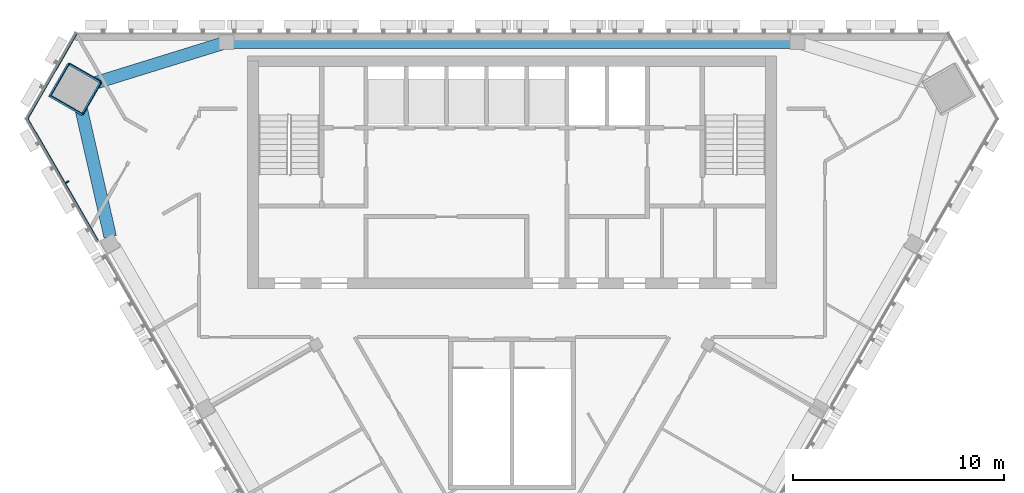
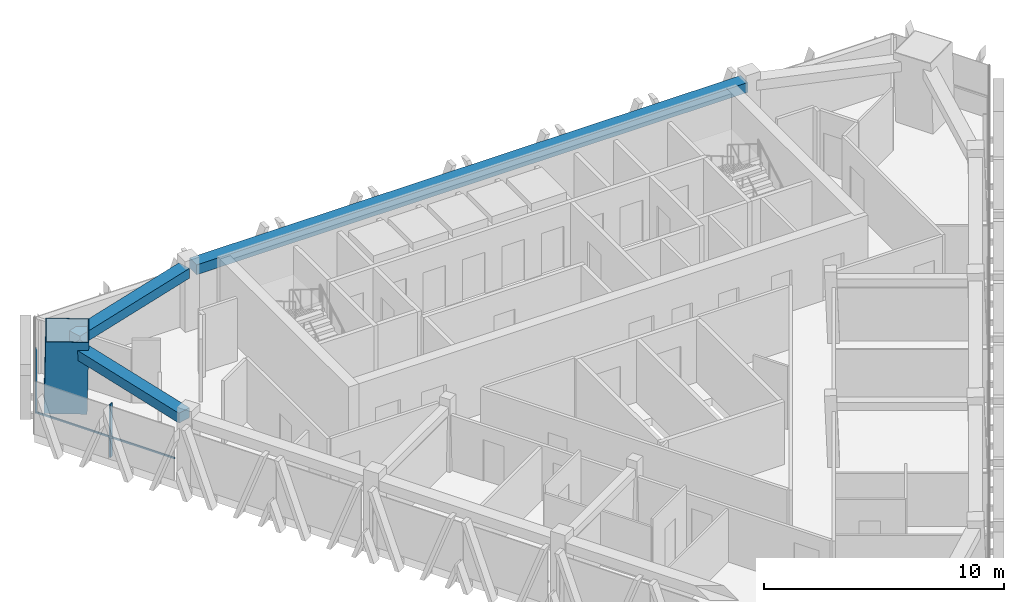
# One storey, part 5 of 12: 4 members, 3 beams, 2 elements without a shape of their own.
"""IFC4 building model written with IfcOpenShell, lengths in metres."""

from ifc_helpers import new_model, si_unit, direction, frame, origin, origin_2d, place, context, subcontext, project, spatial, rectangle, hollow_rectangle, extrude, material, layer, layer_set, material_profile, profile_set, type_object, element, aggregate, save


model = new_model("IFC4")

# Units and contexts
model_context = context("Model", 3, precision=1e-05, world=origin(), true_north=direction((0.0, 1.0)))
body_context = subcontext(model_context, "Body", "Model", "MODEL_VIEW")
ifc_project = project(units=[si_unit("LENGTHUNIT", "METRE"), si_unit("AREAUNIT", "SQUARE_METRE"), si_unit("VOLUMEUNIT", "CUBIC_METRE"), si_unit("PLANEANGLEUNIT", "RADIAN"), si_unit("MASSUNIT", "GRAM", prefix="KILO")], contexts=[model_context])

# Site, building, storey
site_placement = place(None, origin())
site = spatial("IfcSite", under=ifc_project, at=site_placement, CompositionType="ELEMENT")
building_placement = place(site_placement, origin())
building = spatial("IfcBuilding", under=site, at=building_placement, Name="Altiplano Prism Tower", CompositionType="ELEMENT")
storey_placement = place(building_placement, frame((0.0, 0.0, 275.199951171875)))
storey = spatial("IfcBuildingStorey", under=building, at=storey_placement, Name="L71", CompositionType="ELEMENT", Elevation=275.199951171875)

# Curtain wall, member
ifc_material_1 = material(Name="Aluminium and glass", Category="aluminium")
ifc_layer = layer(ifc_material_1, 0.280029296875)
ifc_layer_set = layer_set([ifc_layer], Name="Aluminium and glass")
curtain_wall_type = type_object("IfcCurtainWallType", Name="CW1 typical co-living unitised curtain wall", PredefinedType="NOTDEFINED", material=ifc_layer_set)
curtain_wall_1_placement = place(storey_placement, origin())
curtain_wall_1 = element("IfcCurtainWall", 1, at=curtain_wall_1_placement, inside=storey, type_object=curtain_wall_type, Name="CW1 curtain wall south-west face L71", PredefinedType="NOTDEFINED")
ifc_material_2 = material(Name="Aluminium", Category="aluminium")
ifc_material_profile_1 = material_profile(ifc_material_2, rectangle(XDim=0.179931640625, YDim=0.06494140625, at=origin_2d()), Name="CW1 mullion 65 x 180")
ifc_profile_set_1 = profile_set([ifc_material_profile_1], Name="Aluminium")
member_type_1 = type_object("IfcMemberType", Name="CW1 mullion 65 x 180", PredefinedType="MULLION", material=ifc_profile_set_1)
member_1_placement = place(storey_placement, frame((63.955322265625, 97.934326171875, 0.0), z_axis=(0.0, 0.0, 1.0), x_axis=(0.866025405879, 0.499999996372, 0.0)))
member_1 = element("IfcMember", 2, at=member_1_placement, type_object=member_type_1, Name="CW1 mullion", PredefinedType="MULLION", context=body_context, shape_type="SweptSolid", body=[
    extrude(rectangle(XDim=0.179931640625, YDim=0.06494140625, at=origin_2d()), origin(), (0.0, 0.0, 1.0), 2.699951171875),
])

curtain_wall_2_placement = place(storey_placement, origin())
curtain_wall_2 = element("IfcCurtainWall", 3, at=curtain_wall_2_placement, inside=storey, type_object=curtain_wall_type, Name="CW1 curtain wall north-west chamfer L71", PredefinedType="NOTDEFINED")
ifc_material_profile_2 = material_profile(ifc_material_2, rectangle(XDim=0.06005859375, YDim=0.080078125, at=origin_2d()), Name="CW1 transom 80 x 60")
ifc_profile_set_2 = profile_set([ifc_material_profile_2], Name="Aluminium")
member_type_2 = type_object("IfcMemberType", Name="CW1 transom 80 x 60", PredefinedType="USERDEFINED", material=ifc_profile_set_2)
member_2_placement = place(storey_placement, frame((64.41064453125, 104.965087890625, 1.10009765625), z_axis=(-0.499988115414, -0.866032265245, 0.0), x_axis=(0.866032265245, -0.499988115414, 0.0)))
member_2 = element("IfcMember", 4, at=member_2_placement, type_object=member_type_2, Name="CW1 transom", ObjectType="TRANSOM", PredefinedType="USERDEFINED", context=body_context, shape_type="SweptSolid", body=[
    extrude(rectangle(XDim=0.06005859375, YDim=0.080078125, at=origin_2d()), origin(), (0.0, 0.0, 1.0), 4.693359375),
])
aggregate(curtain_wall_2, [member_2])

# Member
member_3_placement = place(storey_placement, frame((62.06396484375, 100.970458984375, 1.10009765625), z_axis=(0.499987655547, -0.86603253074, 0.0), x_axis=(0.86603253074, 0.499987655547, 0.0)))
member_3 = element("IfcMember", 5, at=member_3_placement, type_object=member_type_2, Name="CW1 transom", ObjectType="TRANSOM", PredefinedType="USERDEFINED", context=body_context, shape_type="SweptSolid", body=[
    extrude(rectangle(XDim=0.06005859375, YDim=0.080078125, at=origin_2d()), origin(), (0.0, 0.0, 1.0), 6.720458984375),
])

aggregate(curtain_wall_1, [member_1, member_3])

# Beams
ifc_material_3 = material(Name="Concrete C60/75", Category="concrete")
ifc_material_profile_3 = material_profile(ifc_material_3, rectangle(XDim=0.60009765625, YDim=0.5, at=origin_2d()), Name="Edge beam 600x500")
ifc_profile_set_3 = profile_set([ifc_material_profile_3], Name="Concrete C60/75")
beam_type = type_object("IfcBeamType", Name="Edge beam 600x500", PredefinedType="SPANDREL", material=ifc_profile_set_3)
beam_1_placement = place(storey_placement, frame((98.27001953125, 104.550048828125, 2.949951171875), z_axis=(-1.0, 0.0, 0.0), x_axis=(0.0, -1.0, 0.0)))
element("IfcBeam", 6, at=beam_1_placement, inside=storey, type_object=beam_type, Name="Edge beam P01-P04 L72", PredefinedType="SPANDREL", context=body_context, shape_type="SweptSolid", body=[
    extrude(rectangle(XDim=0.60009765625, YDim=0.5, at=origin_2d()), origin(), (0.0, 0.0, 1.0), 26.5400390625),
])
beam_2_placement = place(storey_placement, frame((71.2646484375, 104.47705078125, 2.949951171875), z_axis=(-0.955185835959, -0.296006788408, 0.0), x_axis=(0.296006788408, -0.955185835959, 0.0)))
element("IfcBeam", 7, at=beam_2_placement, inside=storey, type_object=beam_type, Name="Edge beam P04-M0 L72", PredefinedType="SPANDREL", context=body_context, shape_type="SweptSolid", body=[
    extrude(rectangle(XDim=0.60009765625, YDim=0.5, at=origin_2d()), origin(), (0.0, 0.0, 1.0), 6.73193359375),
])
beam_3_placement = place(storey_placement, frame((64.504150390625, 101.912109375, 2.949951171875), z_axis=(0.2212292017, -0.975221841591, 0.0), x_axis=(0.975221841591, 0.2212292017, 0.0)))
element("IfcBeam", 8, at=beam_3_placement, inside=storey, type_object=beam_type, Name="Edge beam M0-P11 L72", PredefinedType="SPANDREL", context=body_context, shape_type="SweptSolid", body=[
    extrude(rectangle(XDim=0.60009765625, YDim=0.5, at=origin_2d()), origin(), (0.0, 0.0, 1.0), 6.731689453125),
])

# Member
ifc_material_4 = material(Name="Steel S460", Category="steel")
ifc_material_profile_4 = material_profile(ifc_material_4, hollow_rectangle(XDim=1.800048828125, YDim=1.800048828125, WallThickness=0.0400390625, at=origin_2d()), Name="Mega column tube 1800")
ifc_profile_set_4 = profile_set([ifc_material_profile_4], Name="Steel S460")
member_type_3 = type_object("IfcMemberType", Name="Mega column tube 1800", PredefinedType="POST", material=ifc_profile_set_4)
member_4_placement = place(storey_placement, frame((64.302490234375, 102.317626953125, 0.0), z_axis=(0.028401796786, 0.009286506348, 0.999553449666), x_axis=(-0.866200461857, 0.499297311778, 0.019973841164)))
element("IfcMember", 9, at=member_4_placement, inside=storey, type_object=member_type_3, Name="Mega column tube M0 L71", PredefinedType="POST", context=body_context, shape_type="SweptSolid", body=[
    extrude(hollow_rectangle(XDim=1.800048828125, YDim=1.800048828125, WallThickness=0.0400390625, at=origin_2d()), origin(), (0.0, 0.0, 1.0), 3.601806640625),
])

save(model, "model.ifc")
